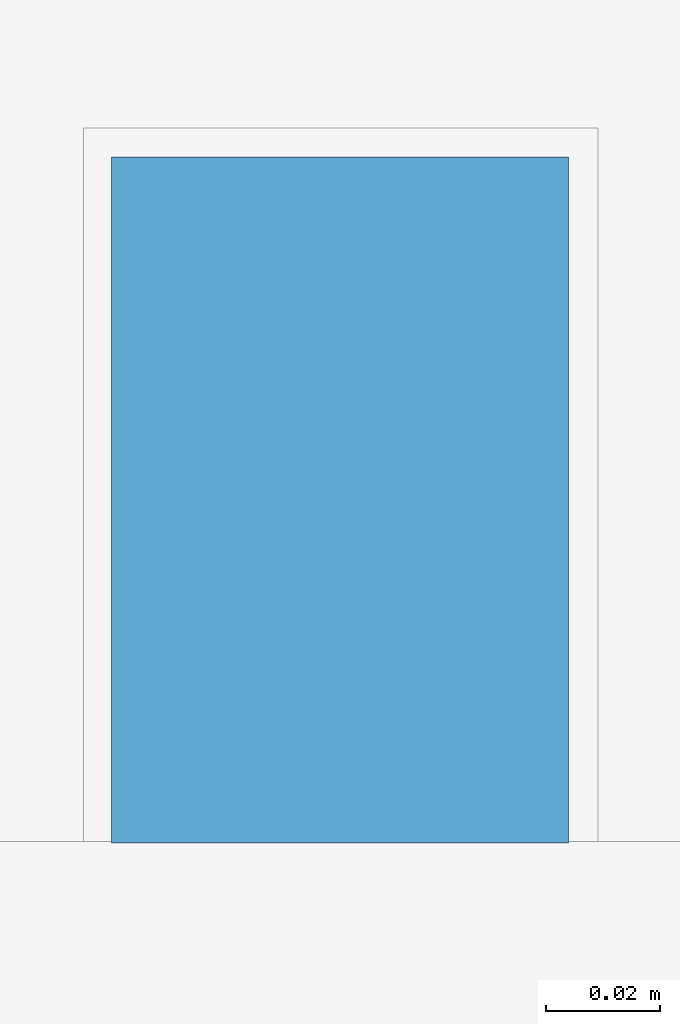
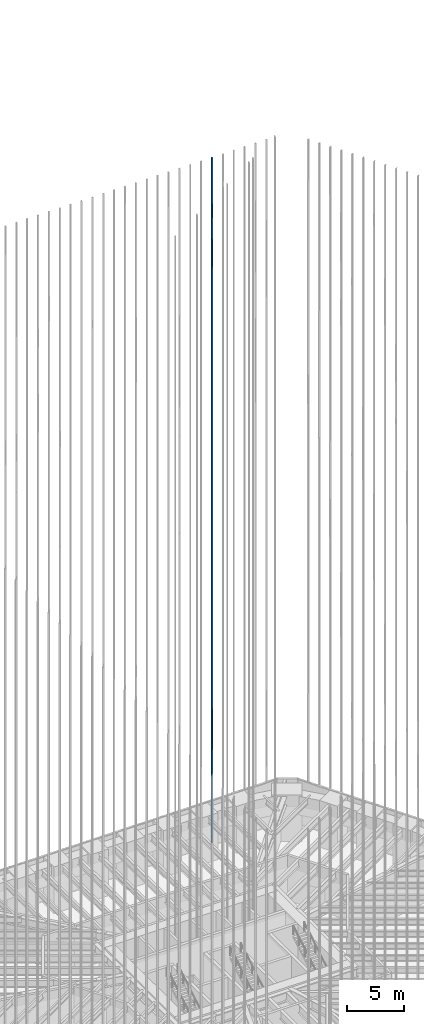
# One storey, part 210 of 228: 1 member, 1 element without a shape of its own.
"""IFC4 building model written with IfcOpenShell, lengths in metres."""

from ifc_helpers import new_model, si_unit, direction, frame, origin, origin_2d, place, context, subcontext, project, spatial, rectangle, extrude, material, material_profile, profile_set, type_object, element, aggregate, save


model = new_model("IFC4")

# Units and contexts
model_context = context("Model", 3, precision=1e-05, world=origin(), true_north=direction((0.0, 1.0)))
body_context = subcontext(model_context, "Body", "Model", "MODEL_VIEW")
ifc_project = project(units=[si_unit("LENGTHUNIT", "METRE"), si_unit("AREAUNIT", "SQUARE_METRE"), si_unit("VOLUMEUNIT", "CUBIC_METRE"), si_unit("PLANEANGLEUNIT", "RADIAN"), si_unit("MASSUNIT", "GRAM", prefix="KILO")], contexts=[model_context])

# Site, building, storey
site_placement = place(None, origin())
site = spatial("IfcSite", under=ifc_project, at=site_placement, CompositionType="ELEMENT")
building_placement = place(site_placement, origin())
building = spatial("IfcBuilding", under=site, at=building_placement, Name="Sandreach Pilgrim Tower", CompositionType="ELEMENT")
storey_placement = place(building_placement, frame((0.0, 0.0, 178.199951171875)))
storey = spatial("IfcBuildingStorey", under=building, at=storey_placement, Name="L44", CompositionType="ELEMENT", Elevation=178.199951171875)

# Curtain wall, member
ifc_material_1 = material(Name="Aluminium framed curtain wall", Category="aluminium")
curtain_wall_type = type_object("IfcCurtainWallType", Name="Upper hotel tower curtain wall", PredefinedType="NOTDEFINED", material=ifc_material_1)
curtain_wall_placement = place(storey_placement, origin())
curtain_wall = element("IfcCurtainWall", 1, at=curtain_wall_placement, inside=storey, type_object=curtain_wall_type, Name="CW-3 L44 N", PredefinedType="NOTDEFINED")
ifc_material_2 = material(Name="Extruded terracotta on aluminium core", Category="masonry")
ifc_material_profile = material_profile(ifc_material_2, rectangle(XDim=0.080078125, YDim=0.1201171875, at=origin_2d()), Name="TBN 80X120")
ifc_profile_set = profile_set([ifc_material_profile], Name="Extruded terracotta on aluminium core")
member_type = type_object("IfcMemberType", Name="Terracotta baguette north", PredefinedType="USERDEFINED", material=ifc_profile_set)
member_placement = place(storey_placement, frame((10.99853515625, 21.52001953125, 0.0), z_axis=(0.0, 0.0, 1.0), x_axis=(1.0, 0.0, 0.0)))
member = element("IfcMember", 2, at=member_placement, type_object=member_type, Name="Baguette Z3 N26", ObjectType="BAGUETTE", PredefinedType="USERDEFINED", context=body_context, shape_type="SweptSolid", body=[
    extrude(rectangle(XDim=0.080078125, YDim=0.1201171875, at=origin_2d()), origin(), (0.0, 0.0, 1.0), 73.239990234375),
])
aggregate(curtain_wall, [member])

save(model, "model.ifc")
